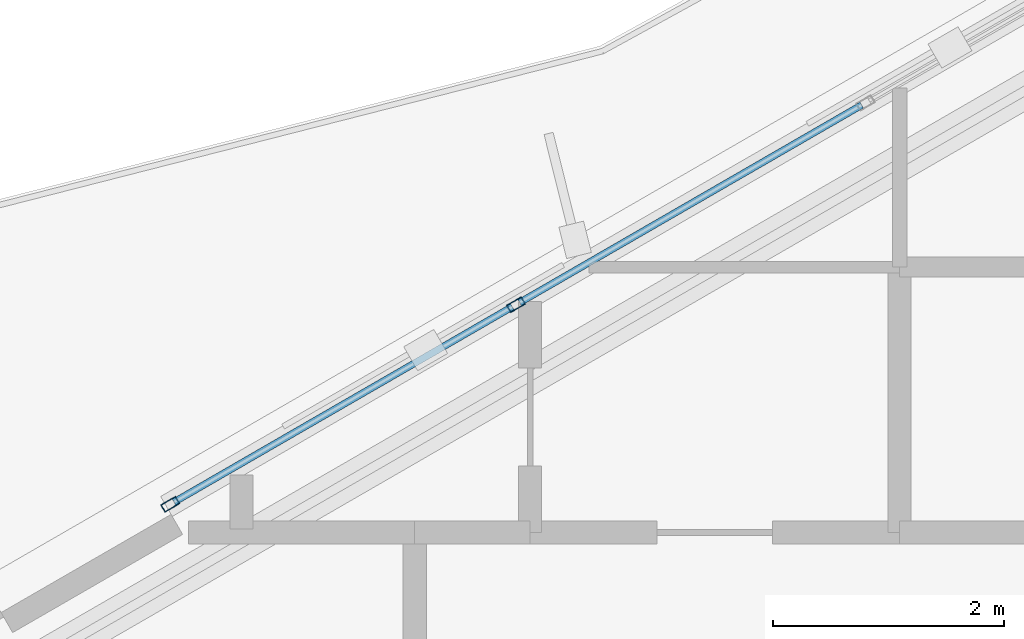
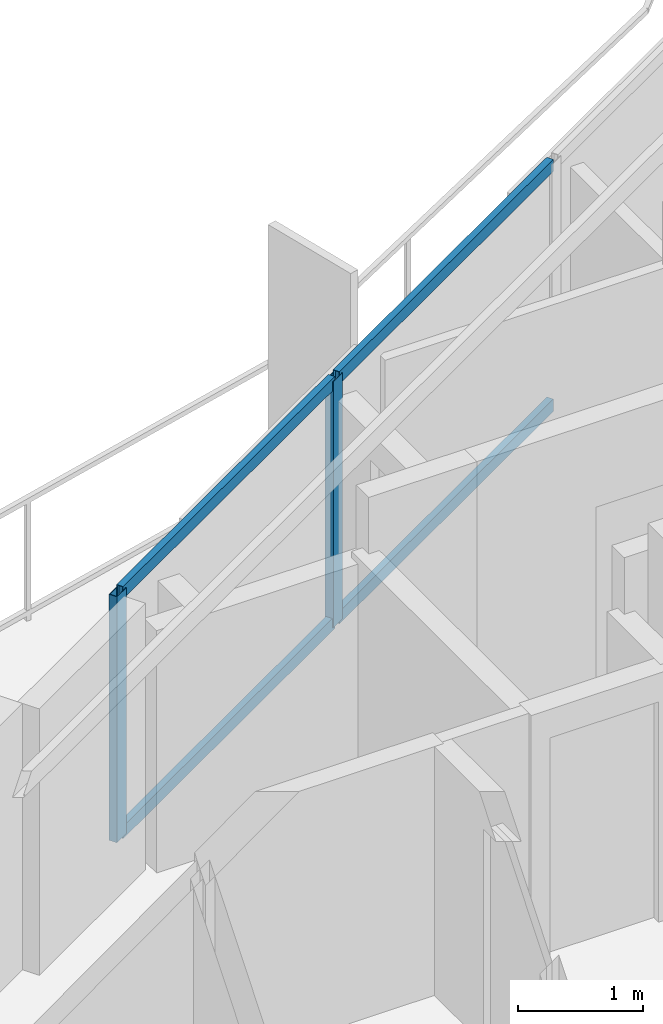
# One storey, part 5 of 18: 6 members, 1 element without a shape of its own.
"""IFC4 building model written with IfcOpenShell, lengths in metres."""

from ifc_helpers import new_model, si_unit, direction, frame, origin, origin_2d, place, context, subcontext, project, spatial, hollow_rectangle, extrude, material, layer, layer_set, material_profile, profile_set, type_object, element, aggregate, save


model = new_model("IFC4")

# Units and contexts
model_context = context("Model", 3, precision=1e-05, world=origin(), true_north=direction((0.0, 1.0)))
body_context = subcontext(model_context, "Body", "Model", "MODEL_VIEW")
ifc_project = project(units=[si_unit("LENGTHUNIT", "METRE"), si_unit("AREAUNIT", "SQUARE_METRE"), si_unit("VOLUMEUNIT", "CUBIC_METRE"), si_unit("PLANEANGLEUNIT", "RADIAN"), si_unit("MASSUNIT", "GRAM", prefix="KILO")], contexts=[model_context])

# Site, building, storey
site_placement = place(None, origin())
site = spatial("IfcSite", under=ifc_project, at=site_placement, CompositionType="ELEMENT")
building_placement = place(site_placement, origin())
building = spatial("IfcBuilding", under=site, at=building_placement, Name="Mersakhor Tower and Convention Hall", CompositionType="ELEMENT")
storey_placement = place(building_placement, frame((0.0, 0.0, 157.5)))
storey = spatial("IfcBuildingStorey", under=building, at=storey_placement, Name="L44", CompositionType="ELEMENT", Elevation=157.5)

# Curtain wall, members
ifc_material_1 = material(Name="Dark solar low-E aluminium curtain wall", Category="aluminium")
ifc_layer = layer(ifc_material_1, 0.169921875)
ifc_layer_set = layer_set([ifc_layer], Name="Dark solar low-E aluminium curtain wall")
curtain_wall_type = type_object("IfcCurtainWallType", Name="CW-SYS-02", PredefinedType="USERDEFINED", material=ifc_layer_set)
curtain_wall_placement = place(storey_placement, origin())
curtain_wall = element("IfcCurtainWall", 1, at=curtain_wall_placement, inside=storey, type_object=curtain_wall_type, Name="L44 Dark-Glass Curtain Wall F1-B2", ObjectType="CURTAIN WALL", PredefinedType="USERDEFINED")
ifc_material_2 = material(Name="Anodised aluminium EN AW-6063 T6", Category="aluminium")
ifc_material_profile_1 = material_profile(ifc_material_2, hollow_rectangle(XDim=0.074951171875, YDim=0.14990234375, WallThickness=0.00634765625, at=origin_2d()), Name="RHS 150x75x6.3")
ifc_profile_set_1 = profile_set([ifc_material_profile_1], Name="Anodised aluminium EN AW-6063 T6")
member_type_1 = type_object("IfcMemberType", Name="CWM-150x75", PredefinedType="MULLION", material=ifc_profile_set_1)
member_1_placement = place(storey_placement, frame((17.88232421875, 35.595458984375, 0.199951171875), z_axis=(0.0, 0.0, 1.0), x_axis=(-0.499990468363, 0.866030906807, 0.0)))
member_1 = element("IfcMember", 2, at=member_1_placement, type_object=member_type_1, Name="CW-02 mullion 1", PredefinedType="MULLION", context=body_context, shape_type="SweptSolid", body=[
    extrude(hollow_rectangle(XDim=0.074951171875, YDim=0.14990234375, WallThickness=0.00634765625, at=origin_2d()), origin(), (0.0, 0.0, 1.0), 2.400146484375),
])
member_2_placement = place(storey_placement, frame((20.876953125, 37.32421875, 0.199951171875), z_axis=(0.0, 0.0, 1.0), x_axis=(-0.499990468363, 0.866030906807, 0.0)))
member_2 = element("IfcMember", 3, at=member_2_placement, type_object=member_type_1, Name="CW-02 mullion 2", PredefinedType="MULLION", context=body_context, shape_type="SweptSolid", body=[
    extrude(hollow_rectangle(XDim=0.074951171875, YDim=0.14990234375, WallThickness=0.00634765625, at=origin_2d()), origin(), (0.0, 0.0, 1.0), 2.400146484375),
])
ifc_material_3 = material(Name="Anodised aluminium EN AW-6063 T6", Category="aluminium")
ifc_material_profile_2 = material_profile(ifc_material_3, hollow_rectangle(XDim=0.06005859375, YDim=0.1201171875, WallThickness=0.0048828125, at=origin_2d()), Name="RHS 120x60x5")
ifc_profile_set_2 = profile_set([ifc_material_profile_2], Name="Anodised aluminium EN AW-6063 T6")
member_type_2 = type_object("IfcMemberType", Name="CWT-120x60", PredefinedType="USERDEFINED", material=ifc_profile_set_2)
member_3_placement = place(storey_placement, frame((17.914794921875, 35.6142578125, 0.22998046875), z_axis=(0.866031754707, 0.499988999718, 0.0), x_axis=(-0.499988999718, 0.866031754707, 0.0)))
member_3 = element("IfcMember", 4, at=member_3_placement, type_object=member_type_2, Name="CW-02 transom 1.1", ObjectType="TRANSOM", PredefinedType="USERDEFINED", context=body_context, shape_type="SweptSolid", body=[
    extrude(hollow_rectangle(XDim=0.06005859375, YDim=0.1201171875, WallThickness=0.0048828125, at=origin_2d()), origin(), (0.0, 0.0, 1.0), 3.3828125),
])
member_4_placement = place(storey_placement, frame((17.914794921875, 35.6142578125, 2.570068359375), z_axis=(0.866031754707, 0.499988999718, 0.0), x_axis=(-0.499988999718, 0.866031754707, 0.0)))
member_4 = element("IfcMember", 5, at=member_4_placement, type_object=member_type_2, Name="CW-02 transom 1.2", ObjectType="TRANSOM", PredefinedType="USERDEFINED", context=body_context, shape_type="SweptSolid", body=[
    extrude(hollow_rectangle(XDim=0.06005859375, YDim=0.1201171875, WallThickness=0.0048828125, at=origin_2d()), origin(), (0.0, 0.0, 1.0), 3.3828125),
])
member_5_placement = place(storey_placement, frame((20.909423828125, 37.343017578125, 0.22998046875), z_axis=(0.866007273829, 0.50003140069, 0.0), x_axis=(-0.50003140069, 0.866007273829, 0.0)))
member_5 = element("IfcMember", 6, at=member_5_placement, type_object=member_type_2, Name="CW-02 transom 2.1", ObjectType="TRANSOM", PredefinedType="USERDEFINED", context=body_context, shape_type="SweptSolid", body=[
    extrude(hollow_rectangle(XDim=0.06005859375, YDim=0.1201171875, WallThickness=0.0048828125, at=origin_2d()), origin(), (0.0, 0.0, 1.0), 3.420166015625),
])
member_6_placement = place(storey_placement, frame((20.909423828125, 37.343017578125, 2.570068359375), z_axis=(0.866007273829, 0.50003140069, 0.0), x_axis=(-0.50003140069, 0.866007273829, 0.0)))
member_6 = element("IfcMember", 7, at=member_6_placement, type_object=member_type_2, Name="CW-02 transom 2.2", ObjectType="TRANSOM", PredefinedType="USERDEFINED", context=body_context, shape_type="SweptSolid", body=[
    extrude(hollow_rectangle(XDim=0.06005859375, YDim=0.1201171875, WallThickness=0.0048828125, at=origin_2d()), origin(), (0.0, 0.0, 1.0), 3.420166015625),
])
aggregate(curtain_wall, [member_1, member_2, member_3, member_4, member_5, member_6])

save(model, "model.ifc")
